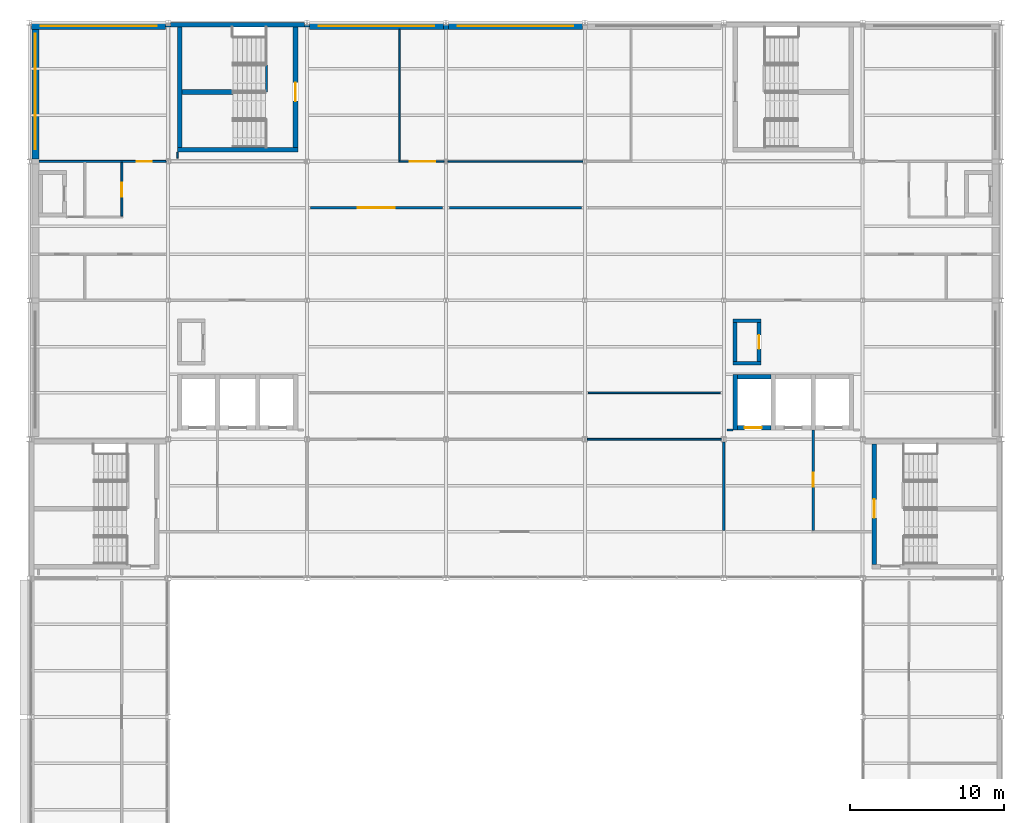
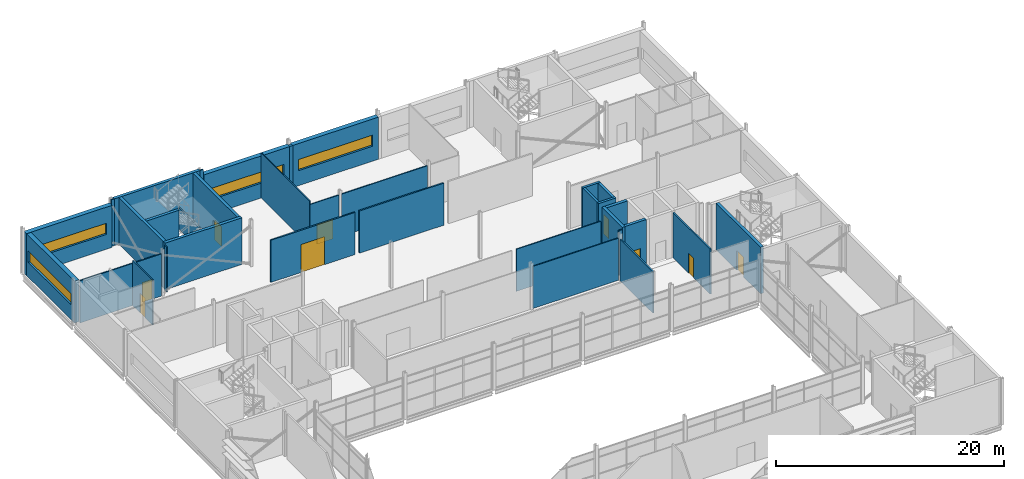
# One storey, part 51 of 61: 34 walls, 9 doors, 4 windows, 13 openings.
"""IFC4 building model written with IfcOpenShell, lengths in metres."""

import ifcopenshell
import ifcopenshell.guid

model = None  # the IFC model being written
_history = None  # IfcOwnerHistory: only IFC2X3 demands one
_inside = {}  # id of a spatial element -> (the spatial element, [elements in it])
_under = {}  # id of a project, library or spatial element -> (it, [spatial elements below it])
_declared = {}  # id of a project -> (the project, [libraries it declares])
_typed = {}  # id of a type object -> (the type object, [elements of that type])
_made_of = {}  # id of a material, layer set ... -> (it, [elements and type objects made of it])


def new_model(schema):
    """Start an empty IFC model of exactly this schema.

    Asked for "IFC4X3", IfcOpenShell would pick the latest addendum, in which some entities
    have other attributes; the version numbers below select the first issue.
    IFC2X3 requires an IfcOwnerHistory on every rooted entity: one is made here for all.
    """
    global model, _history
    if schema == "IFC4X3":
        model = ifcopenshell.file(schema_version=(4, 3, 0, 0))
    else:
        model = ifcopenshell.file(schema=schema)
    _inside.clear()
    _under.clear()
    _declared.clear()
    _typed.clear()
    _made_of.clear()
    _history = None
    if model.schema == "IFC2X3":
        org = make("IfcOrganization", Name="unknown")
        user = make(
            "IfcPersonAndOrganization",
            ThePerson=make("IfcPerson", FamilyName="unknown"),
            TheOrganization=org,
        )
        app = make(
            "IfcApplication",
            ApplicationDeveloper=org,
            Version="unknown",
            ApplicationFullName="unknown",
            ApplicationIdentifier="unknown",
        )
        _history = make(
            "IfcOwnerHistory",
            OwningUser=user,
            OwningApplication=app,
            ChangeAction="ADDED",
            CreationDate=0,
        )
    return model


def make(cls, **values):
    """One entity of the class cls with the attributes given. An attribute that is None is left unset."""
    return model.create_entity(
        cls, **{name: value for name, value in values.items() if value is not None}
    )


def rooted(cls, **values):
    """An entity with a GlobalId (a new one), such as an element, a storey or a relation."""
    return make(cls, GlobalId=ifcopenshell.guid.new(), OwnerHistory=_history, **values)


def si_unit(unit_type, name, prefix=None):
    """IfcSIUnit, for example si_unit("LENGTHUNIT", "METRE", prefix="MILLI")."""
    return make("IfcSIUnit", UnitType=unit_type, Prefix=prefix, Name=name)


def assignment(units):
    """IfcUnitAssignment: the units of a project."""
    return None if units is None else make("IfcUnitAssignment", Units=units)


def point(xyz):
    """IfcCartesianPoint."""
    return None if xyz is None else make("IfcCartesianPoint", Coordinates=xyz)


def direction(xyz):
    """IfcDirection."""
    return None if xyz is None else make("IfcDirection", DirectionRatios=xyz)


def frame(location, z_axis=None, x_axis=None):
    """IfcAxis2Placement3D, a coordinate frame: its origin and axes. An axis left out is left unset."""
    return make(
        "IfcAxis2Placement3D",
        Location=point(location),
        Axis=direction(z_axis),
        RefDirection=direction(x_axis),
    )


def frame_2d(location, x_axis=None):
    """IfcAxis2Placement2D, a coordinate frame in the plane: its origin and x axis."""
    return make(
        "IfcAxis2Placement2D", Location=point(location), RefDirection=direction(x_axis)
    )


def origin():
    """The frame at (0, 0, 0) with its axes left unset."""
    return frame((0.0, 0.0, 0.0))


def place(relative_to, where):
    """IfcLocalPlacement: puts the frame where relative to a parent placement (None: the world)."""
    return make(
        "IfcLocalPlacement", PlacementRelTo=relative_to, RelativePlacement=where
    )


def context(
    kind, dimensions, precision=None, world=None, true_north=None, identifier=None
):
    """IfcGeometricRepresentationContext, for example the 3D "Model" context."""
    return make(
        "IfcGeometricRepresentationContext",
        ContextIdentifier=identifier,
        ContextType=kind,
        CoordinateSpaceDimension=dimensions,
        Precision=precision,
        WorldCoordinateSystem=world,
        TrueNorth=true_north,
    )


def subcontext(parent, identifier, kind, view, scale=None):
    """IfcGeometricRepresentationSubContext, for example "Body" below "Model"."""
    return make(
        "IfcGeometricRepresentationSubContext",
        ContextIdentifier=identifier,
        ContextType=kind,
        ParentContext=parent,
        TargetScale=scale,
        TargetView=view,
    )


def project(units=None, contexts=None):
    """IfcProject with its units and contexts."""
    return rooted(
        "IfcProject",
        Name="project",
        RepresentationContexts=contexts,
        UnitsInContext=assignment(units),
    )


def spatial(cls, under=None, at=None, **own):
    """A site, building, storey or space (cls), placed at a placement, below another one or the project."""
    s = rooted(cls, ObjectPlacement=at, **own)
    if under is not None:
        _under.setdefault(under.id(), (under, []))[1].append(s)
    return s


def profile(cls, at=None, kind="AREA", **sizes):
    """A parametric profile (cls). Its sizes go by their IFC names, for example OverallWidth=200.0."""
    return make(cls, ProfileType=kind, Position=at, **sizes)


def rectangle(**sizes):
    """IfcRectangleProfileDef."""
    return profile("IfcRectangleProfileDef", **sizes)


def extrude(swept, where, along, depth):
    """IfcExtrudedAreaSolid: the profile swept, set in the frame where, extruded along a direction by depth."""
    return make(
        "IfcExtrudedAreaSolid",
        SweptArea=swept,
        Position=where,
        ExtrudedDirection=direction(along),
        Depth=depth,
    )


def shape(context_of_items, identifier, shape_type, items):
    """IfcShapeRepresentation: the items that make up one representation, for example the "Body"."""
    return make(
        "IfcShapeRepresentation",
        ContextOfItems=context_of_items,
        RepresentationIdentifier=identifier,
        RepresentationType=shape_type,
        Items=items,
    )


def material(Name=None, Category=None):
    """IfcMaterial."""
    return make("IfcMaterial", Name=Name, Category=Category)


def layer(
    of_material, thickness, ventilated=None, Name=None, Category=None, Priority=None
):
    """IfcMaterialLayer: one layer of a wall or slab, of a material (None: an air gap)."""
    return make(
        "IfcMaterialLayer",
        Material=of_material,
        LayerThickness=thickness,
        IsVentilated=ventilated,
        Name=Name,
        Category=Category,
        Priority=Priority,
    )


def layer_set(layers, Name=None):
    """IfcMaterialLayerSet."""
    return make("IfcMaterialLayerSet", MaterialLayers=layers, LayerSetName=Name)


def made_of(thing, what):
    """Note that an element or type object is made of a material, layer set ...; save() writes the relation."""
    if what is not None:
        _made_of.setdefault(what.id(), (what, []))[1].append(thing)
    return thing


def type_object(cls, material=None, **own):
    """A type object (cls), such as IfcWallType, which elements share."""
    return made_of(rooted(cls, **own), material)


def element(
    cls,
    number,
    at=None,
    inside=None,
    cuts=None,
    type_object=None,
    material=None,
    context=None,
    identifier="Body",
    shape_type=None,
    held_by="IfcProductDefinitionShape",
    body=None,
    shapes=None,
    **own,
):
    """One element of the class cls, such as IfcWall. Its Tag is "e" and its number.

    at: its placement. inside: the storey or other place that contains it. cuts: it is an
    opening in that element (IfcRelVoidsElement). A single representation is given by context,
    identifier, shape_type and body (its items); several are given by shapes. held_by: the class
    of the entity that holds the representations. save() writes the other relations.
    """
    e = rooted(cls, Tag="e%d" % number, ObjectPlacement=at, **own)
    if body is not None:
        shapes = [shape(context, identifier, shape_type, body)]
    if shapes is not None:
        e.Representation = make(held_by, Representations=shapes)
    if inside is not None:
        _inside.setdefault(inside.id(), (inside, []))[1].append(e)
    if cuts is not None:
        rooted(
            "IfcRelVoidsElement", RelatingBuildingElement=cuts, RelatedOpeningElement=e
        )
    if type_object is not None:
        _typed.setdefault(type_object.id(), (type_object, []))[1].append(e)
    return made_of(e, material)


def fill(opening, filler):
    """IfcRelFillsElement: the door or window that sits in an opening."""
    return rooted(
        "IfcRelFillsElement",
        RelatingOpeningElement=opening,
        RelatedBuildingElement=filler,
    )


def aggregate(whole, parts):
    """IfcRelAggregates: a whole, such as a stair, and the parts it consists of."""
    return rooted("IfcRelAggregates", RelatingObject=whole, RelatedObjects=parts)


def save(model, path):
    """Write the relations noted so far, then the file.

    IfcRelAggregates (storeys below a building ...), IfcRelContainedInSpatialStructure (elements
    in a storey), IfcRelDefinesByType, IfcRelAssociatesMaterial and IfcRelDeclares: one each for
    every whole, place, type object, material and project.
    """
    for whole, parts in _under.values():
        aggregate(whole, parts)
    for where, things in _inside.values():
        rooted(
            "IfcRelContainedInSpatialStructure",
            RelatedElements=things,
            RelatingStructure=where,
        )
    for kind, things in _typed.values():
        rooted("IfcRelDefinesByType", RelatedObjects=things, RelatingType=kind)
    for what, things in _made_of.values():
        rooted("IfcRelAssociatesMaterial", RelatedObjects=things, RelatingMaterial=what)
    for by, libraries in _declared.values():
        rooted("IfcRelDeclares", RelatingContext=by, RelatedDefinitions=libraries)
    model.write(path)


model = new_model("IFC4")

# Units and contexts
model_context = context("Model", 3, precision=1e-05, world=origin(), true_north=direction((0.0, 1.0)))
body_context = subcontext(model_context, "Body", "Model", "MODEL_VIEW")
ifc_project = project(units=[si_unit("LENGTHUNIT", "METRE"), si_unit("AREAUNIT", "SQUARE_METRE"), si_unit("VOLUMEUNIT", "CUBIC_METRE"), si_unit("PLANEANGLEUNIT", "RADIAN"), si_unit("MASSUNIT", "GRAM", prefix="KILO")], contexts=[model_context])

# Site, building, storey
site_placement = place(None, origin())
site = spatial("IfcSite", under=ifc_project, at=site_placement, CompositionType="ELEMENT")
building_placement = place(site_placement, origin())
building = spatial("IfcBuilding", under=site, at=building_placement, Name="Shorebreak Coast Museum", CompositionType="ELEMENT")
storey_placement = place(building_placement, frame((0.0, 0.0, 26.0)))
storey = spatial("IfcBuildingStorey", under=building, at=storey_placement, Name="L04", CompositionType="ELEMENT", Elevation=26.0)

# Walls
ifc_material_1 = material(Name="Concrete N50 (50 MPa)", Category="concrete")
ifc_layer_1 = layer(ifc_material_1, 0.136474609375)
ifc_layer_set_1 = layer_set([ifc_layer_1], Name="Concrete N50 (50 MPa)")
wall_type_1 = type_object("IfcWallType", Name="Column closure panel 136", PredefinedType="SOLIDWALL", material=ifc_layer_set_1)
for number, where, z_axis, x_axis, name in (
    (1, (62.83349609375, 116.768310546875, 0.0), (0.0, 0.0, 1.0), (1.0, 0.0, 0.0), "Column closure panel L04 N 8P"),
    (2, (71.844482421875, 116.768310546875, 0.0), (0.0, 0.0, 1.0), (1.0, 0.0, 0.0), "Column closure panel L04 N 9P"),
):
    element("IfcWall", number, at=place(storey_placement, frame(where, z_axis=z_axis, x_axis=x_axis)), inside=storey, type_object=wall_type_1, Name=name, PredefinedType="SOLIDWALL", context=body_context, shape_type="SweptSolid", body=[
        extrude(rectangle(XDim=0.322021484375, YDim=0.136474609375, at=frame_2d((0.1611328125, 0.0))), origin(), (0.0, 0.0, 1.0), 5.0),
    ])
ifc_material_2 = material(Name="Concrete N50 (50 MPa)", Category="concrete")
ifc_layer_2 = layer(ifc_material_2, 0.286376953125)
ifc_layer_set_2 = layer_set([ifc_layer_2], Name="Concrete N50 (50 MPa)")
wall_type_2 = type_object("IfcWallType", Name="Column closure panel 286", PredefinedType="SOLIDWALL", material=ifc_layer_set_2)
wall_1_placement = place(storey_placement, frame((80.839111328125, 116.693115234375, 0.0), z_axis=(0.0, 0.0, 1.0), x_axis=(1.0, 0.0, 0.0)))
element("IfcWall", 3, at=wall_1_placement, inside=storey, type_object=wall_type_2, Name="Column closure panel L04 N 10P", PredefinedType="SOLIDWALL", context=body_context, shape_type="SweptSolid", body=[
    extrude(rectangle(XDim=0.32177734375, YDim=0.286376953125, at=frame_2d((0.160888671875, 0.0))), origin(), (0.0, 0.0, 1.0), 4.517822265625),
])

# Wall, opening, window
ifc_material_3 = material(Name="Concrete N50 (50 MPa)", Category="concrete")
ifc_layer_3 = layer(ifc_material_3, 0.449951171875)
ifc_layer_set_3 = layer_set([ifc_layer_3], Name="Concrete N50 (50 MPa)")
wall_type_3 = type_object("IfcWallType", Name="Deep-set precast panel 450", PredefinedType="SOLIDWALL", material=ifc_layer_set_3)
wall_2_placement = place(storey_placement, frame((54.155517578125, 116.77490234375, 0.0), z_axis=(0.0, 0.0, 1.0), x_axis=(1.0, 0.0, 0.0)))
wall_2 = element("IfcWall", 4, at=wall_2_placement, inside=storey, type_object=wall_type_3, Name="External wall L04 N 7P", PredefinedType="SOLIDWALL", context=body_context, shape_type="SweptSolid", body=[
    extrude(rectangle(XDim=8.677978515625, YDim=0.449951171875, at=frame_2d((4.3388671875, 0.0))), origin(), (0.0, 0.0, 1.0), 4.517822265625),
])
opening_1_placement = place(wall_2_placement, frame((0.594482421875, 0.0, 1.60009765625)))
opening_1 = element("IfcOpeningElement", 5, at=opening_1_placement, cuts=wall_2, Name="Opening WN4003", PredefinedType="OPENING", context=body_context, shape_type="SweptSolid", body=[
    extrude(rectangle(XDim=7.5, YDim=1.199951171875, at=frame_2d((3.75, 0.60009765625))), frame((0.0, 0.23486328125, 0.0), z_axis=(0.0, -1.0, 0.0), x_axis=(1.0, 0.0, 0.0)), (0.0, 0.0, 1.0), 0.469970703125),
])
ifc_material_4 = material(Name="Aluminium", Category="aluminium")
window_type = type_object("IfcWindowType", Name="Ribbon window 7500 x 1200", PartitioningType="SINGLE_PANEL", PredefinedType="WINDOW", material=ifc_material_4)
window_1_placement = place(opening_1_placement, origin())
window_1 = element("IfcWindow", 6, at=window_1_placement, inside=storey, type_object=window_type, Name="Window WN4003", OverallHeight=1.199951171875, OverallWidth=7.5, PartitioningType="SINGLE_PANEL", PredefinedType="WINDOW", context=body_context, shape_type="SweptSolid", body=[
    extrude(rectangle(XDim=7.5, YDim=1.199951171875, at=frame_2d((3.75, 0.60009765625))), frame((0.0, 0.030029296875, 0.0), z_axis=(0.0, -1.0, 0.0), x_axis=(1.0, 0.0, 0.0)), (0.0, 0.0, 1.0), 0.06005859375),
])
fill(opening_1, window_1)

wall_3_placement = place(storey_placement, frame((54.3935546875, 108.160888671875, 0.0), z_axis=(0.0, 0.0, 1.0), x_axis=(0.0, 1.0, 0.0)))
wall_3 = element("IfcWall", 7, at=wall_3_placement, inside=storey, type_object=wall_type_3, Name="External wall L04 W 7N", PredefinedType="SOLIDWALL", context=body_context, shape_type="SweptSolid", body=[
    extrude(rectangle(XDim=8.675537109375, YDim=0.449951171875, at=frame_2d((4.337890625, 0.0))), origin(), (0.0, 0.0, 1.0), 4.497802734375),
])
opening_2_placement = place(wall_3_placement, frame((0.6201171875, 0.0, 1.60009765625)))
opening_2 = element("IfcOpeningElement", 8, at=opening_2_placement, cuts=wall_3, Name="Opening WN4009", PredefinedType="OPENING", context=body_context, shape_type="SweptSolid", body=[
    extrude(rectangle(XDim=7.5, YDim=1.199951171875, at=frame_2d((3.75, 0.60009765625))), frame((0.0, 0.23486328125, 0.0), z_axis=(0.0, -1.0, 0.0), x_axis=(1.0, 0.0, 0.0)), (0.0, 0.0, 1.0), 0.469970703125),
])
window_2_placement = place(opening_2_placement, origin())
window_2 = element("IfcWindow", 9, at=window_2_placement, inside=storey, type_object=window_type, Name="Window WN4009", OverallHeight=1.199951171875, OverallWidth=7.5, PartitioningType="SINGLE_PANEL", PredefinedType="WINDOW", context=body_context, shape_type="SweptSolid", body=[
    extrude(rectangle(XDim=7.5, YDim=1.199951171875, at=frame_2d((3.75, 0.60009765625))), frame((0.0, 0.030029296875, 0.0), z_axis=(0.0, -1.0, 0.0), x_axis=(1.0, 0.0, 0.0)), (0.0, 0.0, 1.0), 0.06005859375),
])
fill(opening_2, window_2)

wall_4_placement = place(storey_placement, frame((72.16650390625, 116.77490234375, 0.0), z_axis=(0.0, 0.0, 1.0), x_axis=(1.0, 0.0, 0.0)))
wall_4 = element("IfcWall", 10, at=wall_4_placement, inside=storey, type_object=wall_type_3, Name="External wall L04 N 9P", PredefinedType="SOLIDWALL", context=body_context, shape_type="SweptSolid", body=[
    extrude(rectangle(XDim=8.672607421875, YDim=0.449951171875, at=frame_2d((4.33642578125, 0.0))), origin(), (0.0, 0.0, 1.0), 4.517822265625),
])
opening_3_placement = place(wall_4_placement, frame((0.58349609375, 0.0, 1.60009765625)))
opening_3 = element("IfcOpeningElement", 11, at=opening_3_placement, cuts=wall_4, Name="Opening WN4004", PredefinedType="OPENING", context=body_context, shape_type="SweptSolid", body=[
    extrude(rectangle(XDim=7.5, YDim=1.199951171875, at=frame_2d((3.75, 0.60009765625))), frame((0.0, 0.23486328125, 0.0), z_axis=(0.0, -1.0, 0.0), x_axis=(1.0, 0.0, 0.0)), (0.0, 0.0, 1.0), 0.469970703125),
])
window_3_placement = place(opening_3_placement, origin())
window_3 = element("IfcWindow", 12, at=window_3_placement, inside=storey, type_object=window_type, Name="Window WN4004", OverallHeight=1.199951171875, OverallWidth=7.5, PartitioningType="SINGLE_PANEL", PredefinedType="WINDOW", context=body_context, shape_type="SweptSolid", body=[
    extrude(rectangle(XDim=7.5, YDim=1.199951171875, at=frame_2d((3.75, 0.60009765625))), frame((0.0, 0.030029296875, 0.0), z_axis=(0.0, -1.0, 0.0), x_axis=(1.0, 0.0, 0.0)), (0.0, 0.0, 1.0), 0.06005859375),
])
fill(opening_3, window_3)

wall_5_placement = place(storey_placement, frame((81.160888671875, 116.77490234375, 0.0), z_axis=(0.0, 0.0, 1.0), x_axis=(1.0, 0.0, 0.0)))
wall_5 = element("IfcWall", 13, at=wall_5_placement, inside=storey, type_object=wall_type_3, Name="External wall L04 N 10P", PredefinedType="SOLIDWALL", context=body_context, shape_type="SweptSolid", body=[
    extrude(rectangle(XDim=8.67822265625, YDim=0.449951171875, at=frame_2d((4.339111328125, 0.0))), origin(), (0.0, 0.0, 1.0), 4.517822265625),
])
opening_4_placement = place(wall_5_placement, frame((0.589111328125, 0.0, 1.60009765625)))
opening_4 = element("IfcOpeningElement", 14, at=opening_4_placement, cuts=wall_5, Name="Opening WN4005", PredefinedType="OPENING", context=body_context, shape_type="SweptSolid", body=[
    extrude(rectangle(XDim=7.5, YDim=1.199951171875, at=frame_2d((3.75, 0.60009765625))), frame((0.0, 0.23486328125, 0.0), z_axis=(0.0, -1.0, 0.0), x_axis=(1.0, 0.0, 0.0)), (0.0, 0.0, 1.0), 0.469970703125),
])
window_4_placement = place(opening_4_placement, origin())
window_4 = element("IfcWindow", 15, at=window_4_placement, inside=storey, type_object=window_type, Name="Window WN4005", OverallHeight=1.199951171875, OverallWidth=7.5, PartitioningType="SINGLE_PANEL", PredefinedType="WINDOW", context=body_context, shape_type="SweptSolid", body=[
    extrude(rectangle(XDim=7.5, YDim=1.199951171875, at=frame_2d((3.75, 0.60009765625))), frame((0.0, 0.030029296875, 0.0), z_axis=(0.0, -1.0, 0.0), x_axis=(1.0, 0.0, 0.0)), (0.0, 0.0, 1.0), 0.06005859375),
])
fill(opening_4, window_4)

# Wall
ifc_material_5 = material(Name="Plasterboard on steel stud", Category="steel")
ifc_layer_4 = layer(ifc_material_5, 0.14990234375)
ifc_layer_set_4 = layer_set([ifc_layer_4], Name="Plasterboard on steel stud")
wall_type_4 = type_object("IfcWallType", Name="Fire partition 150", PredefinedType="PARTITIONING", material=ifc_layer_set_4)
wall_6_placement = place(storey_placement, frame((99.219970703125, 90.60009765625, 0.0), z_axis=(0.0, 0.0, 1.0), x_axis=(1.0, 0.0, 0.0)))
element("IfcWall", 16, at=wall_6_placement, inside=storey, type_object=wall_type_4, Name="Partition L04-012", PredefinedType="PARTITIONING", context=body_context, shape_type="SweptSolid", body=[
    extrude(rectangle(XDim=0.380126953125, YDim=0.14990234375, at=frame_2d((0.18994140625, 0.0))), origin(), (0.0, 0.0, 1.0), 4.824951171875),
])

# Wall, opening, door
wall_7_placement = place(storey_placement, frame((72.219970703125, 105.0, 0.0), z_axis=(0.0, 0.0, 1.0), x_axis=(1.0, 0.0, 0.0)))
wall_7 = element("IfcWall", 17, at=wall_7_placement, inside=storey, type_object=wall_type_4, Name="Partition L04-025", PredefinedType="PARTITIONING", context=body_context, shape_type="SweptSolid", body=[
    extrude(rectangle(XDim=8.56005859375, YDim=0.14990234375, at=frame_2d((4.280029296875, 0.0))), origin(), (0.0, 0.0, 1.0), 4.52099609375),
])
opening_5_placement = place(wall_7_placement, frame((3.050048828125, 0.0, 0.0)))
opening_5 = element("IfcOpeningElement", 18, at=opening_5_placement, cuts=wall_7, Name="Opening D4022", PredefinedType="OPENING", context=body_context, shape_type="SweptSolid", body=[
    extrude(rectangle(XDim=2.39990234375, YDim=3.0, at=frame_2d((1.199951171875, 1.5))), frame((0.0, 0.0849609375, 0.0), z_axis=(0.0, -1.0, 0.0), x_axis=(1.0, 0.0, 0.0)), (0.0, 0.0, 1.0), 0.169921875),
])
ifc_material_6 = material(Name="Steel", Category="steel")
door_type_1 = type_object("IfcDoorType", Name="Fire door 2400x3000 60", OperationType="DOUBLE_DOOR_SINGLE_SWING", PredefinedType="DOOR", material=ifc_material_6)
door_1_placement = place(opening_5_placement, origin())
door_1 = element("IfcDoor", 19, at=door_1_placement, inside=storey, type_object=door_type_1, Name="Door D4022 Permanent Gallery 4.02", OperationType="DOUBLE_DOOR_SINGLE_SWING", OverallHeight=3.0, OverallWidth=2.39990234375, PredefinedType="DOOR", context=body_context, shape_type="SweptSolid", body=[
    extrude(rectangle(XDim=2.39990234375, YDim=3.0, at=frame_2d((1.199951171875, 1.5))), frame((0.0, 0.02490234375, 0.0), z_axis=(0.0, -1.0, 0.0), x_axis=(1.0, 0.0, 0.0)), (0.0, 0.0, 1.0), 0.050048828125),
])
fill(opening_5, door_1)

# Walls
wall_8_placement = place(storey_placement, frame((81.219970703125, 105.0, 0.0), z_axis=(0.0, 0.0, 1.0), x_axis=(1.0, 0.0, 0.0)))
element("IfcWall", 20, at=wall_8_placement, inside=storey, type_object=wall_type_4, Name="Partition L04-026", PredefinedType="PARTITIONING", context=body_context, shape_type="SweptSolid", body=[
    extrude(rectangle(XDim=8.56005859375, YDim=0.14990234375, at=frame_2d((4.280029296875, 0.0))), origin(), (0.0, 0.0, 1.0), 4.52099609375),
])
wall_9_placement = place(storey_placement, frame((99.0, 84.074951171875, 0.0), z_axis=(0.0, 0.0, 1.0), x_axis=(0.0, 1.0, 0.0)))
element("IfcWall", 21, at=wall_9_placement, inside=storey, type_object=wall_type_4, Name="Partition L04-048", PredefinedType="PARTITIONING", context=body_context, shape_type="SweptSolid", body=[
    extrude(rectangle(XDim=5.761474609375, YDim=0.14990234375, at=frame_2d((2.880859375, 0.0))), origin(), (0.0, 0.0, 1.0), 4.418701171875),
])

# Wall, opening, door
wall_10_placement = place(storey_placement, frame((104.800048828125, 84.074951171875, 0.0), z_axis=(0.0, 0.0, 1.0), x_axis=(0.0, 1.0, 0.0)))
wall_10 = element("IfcWall", 22, at=wall_10_placement, inside=storey, type_object=wall_type_4, Name="Partition L04-050", PredefinedType="PARTITIONING", context=body_context, shape_type="SweptSolid", body=[
    extrude(rectangle(XDim=6.525146484375, YDim=0.14990234375, at=frame_2d((3.2626953125, 0.0))), origin(), (0.0, 0.0, 1.0), 4.824951171875),
])
opening_6_placement = place(wall_10_placement, frame((2.85009765625, 0.0, 0.0)))
opening_6 = element("IfcOpeningElement", 23, at=opening_6_placement, cuts=wall_10, Name="Opening D4002", PredefinedType="OPENING", context=body_context, shape_type="SweptSolid", body=[
    extrude(rectangle(XDim=0.89990234375, YDim=2.10009765625, at=frame_2d((0.449951171875, 1.050048828125))), frame((0.0, 0.0849609375, 0.0), z_axis=(0.0, -1.0, 0.0), x_axis=(1.0, 0.0, 0.0)), (0.0, 0.0, 1.0), 0.169921875),
])
ifc_material_7 = material(Name="Steel", Category="steel")
door_type_2 = type_object("IfcDoorType", Name="Fire door 900x2100 60", OperationType="SINGLE_SWING_LEFT", PredefinedType="DOOR", material=ifc_material_7)
door_2_placement = place(opening_6_placement, origin())
door_2 = element("IfcDoor", 24, at=door_2_placement, inside=storey, type_object=door_type_2, Name="Door D4002 Firefighting Lift Lobby E", OperationType="SINGLE_SWING_RIGHT", OverallHeight=2.10009765625, OverallWidth=0.89990234375, PredefinedType="DOOR", context=body_context, shape_type="SweptSolid", body=[
    extrude(rectangle(XDim=0.89990234375, YDim=2.10009765625, at=frame_2d((0.449951171875, 1.050048828125))), frame((0.0, 0.02490234375, 0.0), z_axis=(0.0, -1.0, 0.0), x_axis=(1.0, 0.0, 0.0)), (0.0, 0.0, 1.0), 0.050048828125),
])
fill(opening_6, door_2)

# Walls
ifc_material_8 = material(Name="Plasterboard on steel stud", Category="steel")
ifc_layer_5 = layer(ifc_material_8, 0.10009765625)
ifc_layer_set_5 = layer_set([ifc_layer_5], Name="Plasterboard on steel stud")
wall_type_5 = type_object("IfcWallType", Name="Partition 100", PredefinedType="PARTITIONING", material=ifc_layer_set_5)
wall_11_placement = place(storey_placement, frame((90.155517578125, 90.0, 0.0), z_axis=(0.0, 0.0, 1.0), x_axis=(1.0, 0.0, 0.0)))
element("IfcWall", 25, at=wall_11_placement, inside=storey, type_object=wall_type_5, Name="Partition L04-009", PredefinedType="PARTITIONING", context=body_context, shape_type="SweptSolid", body=[
    extrude(rectangle(XDim=8.68896484375, YDim=0.10009765625, at=frame_2d((4.344482421875, 0.0))), origin(), (0.0, 0.0, 1.0), 4.517822265625),
])
wall_12_placement = place(storey_placement, frame((90.219970703125, 93.0, 0.0), z_axis=(0.0, 0.0, 1.0), x_axis=(1.0, 0.0, 0.0)))
element("IfcWall", 26, at=wall_12_placement, inside=storey, type_object=wall_type_5, Name="Partition L04-016", PredefinedType="PARTITIONING", context=body_context, shape_type="SweptSolid", body=[
    extrude(rectangle(XDim=8.56005859375, YDim=0.10009765625, at=frame_2d((4.280029296875, 0.0))), origin(), (0.0, 0.0, 1.0), 4.52099609375),
])

# Wall, opening, door
wall_13_placement = place(storey_placement, frame((77.949951171875, 108.0, 0.0), z_axis=(0.0, 0.0, 1.0), x_axis=(1.0, 0.0, 0.0)))
wall_13 = element("IfcWall", 27, at=wall_13_placement, inside=storey, type_object=wall_type_5, Name="Partition L04-029", PredefinedType="PARTITIONING", context=body_context, shape_type="SweptSolid", body=[
    extrude(rectangle(XDim=2.922119140625, YDim=0.10009765625, at=frame_2d((1.4609375, 0.0))), origin(), (0.0, 0.0, 1.0), 4.517822265625),
])
opening_7_placement = place(wall_13_placement, frame((0.699951171875, 0.0, 0.0)))
opening_7 = element("IfcOpeningElement", 28, at=opening_7_placement, cuts=wall_13, Name="Opening D4023", PredefinedType="OPENING", context=body_context, shape_type="SweptSolid", body=[
    extrude(rectangle(XDim=1.64990234375, YDim=2.10009765625, at=frame_2d((0.824951171875, 1.050048828125))), frame((0.0, 0.06005859375, 0.0), z_axis=(0.0, -1.0, 0.0), x_axis=(1.0, 0.0, 0.0)), (0.0, 0.0, 1.0), 0.1201171875),
])
ifc_material_9 = material(Name="Timber", Category="wood")
door_type_3 = type_object("IfcDoorType", Name="Interior door 1650x2100", OperationType="DOUBLE_DOOR_SINGLE_SWING", PredefinedType="DOOR", material=ifc_material_9)
door_3_placement = place(opening_7_placement, origin())
door_3 = element("IfcDoor", 29, at=door_3_placement, inside=storey, type_object=door_type_3, Name="Door D4023 Learning Studio 4.02", OperationType="DOUBLE_DOOR_SINGLE_SWING", OverallHeight=2.10009765625, OverallWidth=1.64990234375, PredefinedType="DOOR", context=body_context, shape_type="SweptSolid", body=[
    extrude(rectangle(XDim=1.64990234375, YDim=2.10009765625, at=frame_2d((0.824951171875, 1.050048828125))), frame((0.0, 0.02490234375, 0.0), z_axis=(0.0, -1.0, 0.0), x_axis=(1.0, 0.0, 0.0)), (0.0, 0.0, 1.0), 0.050048828125),
])
fill(opening_7, door_3)

# Walls
wall_14_placement = place(storey_placement, frame((81.1279296875, 108.0, 0.0), z_axis=(0.0, 0.0, 1.0), x_axis=(1.0, 0.0, 0.0)))
element("IfcWall", 30, at=wall_14_placement, inside=storey, type_object=wall_type_5, Name="Partition L04-030", PredefinedType="PARTITIONING", context=body_context, shape_type="SweptSolid", body=[
    extrude(rectangle(XDim=8.744140625, YDim=0.10009765625, at=frame_2d((4.3720703125, 0.0))), origin(), (0.0, 0.0, 1.0), 4.517822265625),
])
wall_15_placement = place(storey_placement, frame((63.60009765625, 108.219970703125, 0.0), z_axis=(0.0, 0.0, 1.0), x_axis=(0.0, 1.0, 0.0)))
element("IfcWall", 31, at=wall_15_placement, inside=storey, type_object=wall_type_5, Name="Partition L04-041", PredefinedType="PARTITIONING", context=body_context, shape_type="SweptSolid", body=[
    extrude(rectangle(XDim=0.380126953125, YDim=0.10009765625, at=frame_2d((0.18994140625, 0.0))), origin(), (0.0, 0.0, 1.0), 4.824951171875),
])
wall_16_placement = place(storey_placement, frame((78.0, 108.050048828125, 0.0), z_axis=(0.0, 0.0, 1.0), x_axis=(0.0, 1.0, 0.0)))
element("IfcWall", 32, at=wall_16_placement, inside=storey, type_object=wall_type_5, Name="Partition L04-045", PredefinedType="PARTITIONING", context=body_context, shape_type="SweptSolid", body=[
    extrude(rectangle(XDim=8.5, YDim=0.10009765625, at=frame_2d((4.25, 0.0))), origin(), (0.0, 0.0, 1.0), 4.824951171875),
])

# Wall, opening, door
ifc_material_10 = material(Name="Plasterboard on steel stud", Category="steel")
ifc_layer_6 = layer(ifc_material_10, 0.125)
ifc_layer_set_6 = layer_set([ifc_layer_6], Name="Plasterboard on steel stud")
wall_type_6 = type_object("IfcWallType", Name="Partition 125", PredefinedType="PARTITIONING", material=ifc_layer_set_6)
wall_17_placement = place(storey_placement, frame((54.61865234375, 108.0, 0.0), z_axis=(0.0, 0.0, 1.0), x_axis=(1.0, 0.0, 0.0)))
wall_17 = element("IfcWall", 33, at=wall_17_placement, inside=storey, type_object=wall_type_6, Name="Partition L04-028", PredefinedType="PARTITIONING", context=body_context, shape_type="SweptSolid", body=[
    extrude(rectangle(XDim=8.25341796875, YDim=0.125, at=frame_2d((4.126708984375, 0.0))), origin(), (0.0, 0.0, 1.0), 4.517822265625),
])
opening_8_placement = place(wall_17_placement, frame((6.331298828125, 0.0, 0.0)))
opening_8 = element("IfcOpeningElement", 34, at=opening_8_placement, cuts=wall_17, Name="Opening D4019", PredefinedType="OPENING", context=body_context, shape_type="SweptSolid", body=[
    extrude(rectangle(XDim=1.0, YDim=2.10009765625, at=frame_2d((0.5, 1.050048828125))), frame((0.0, 0.072509765625, 0.0), z_axis=(0.0, -1.0, 0.0), x_axis=(1.0, 0.0, 0.0)), (0.0, 0.0, 1.0), 0.14501953125),
])
ifc_material_11 = material(Name="Timber", Category="wood")
door_type_4 = type_object("IfcDoorType", Name="Interior door 1000x2100", OperationType="SINGLE_SWING_LEFT", PredefinedType="DOOR", material=ifc_material_11)
door_4_placement = place(opening_8_placement, origin())
door_4 = element("IfcDoor", 35, at=door_4_placement, inside=storey, type_object=door_type_4, Name="Door D4019 Services Store 4.01", OperationType="SINGLE_SWING_LEFT", OverallHeight=2.10009765625, OverallWidth=1.0, PredefinedType="DOOR", context=body_context, shape_type="SweptSolid", body=[
    extrude(rectangle(XDim=1.0, YDim=2.10009765625, at=frame_2d((0.5, 1.050048828125))), frame((0.0, 0.02490234375, 0.0), z_axis=(0.0, -1.0, 0.0), x_axis=(1.0, 0.0, 0.0)), (0.0, 0.0, 1.0), 0.050048828125),
])
fill(opening_8, door_4)

wall_18_placement = place(storey_placement, frame((60.0, 104.46240234375, 0.0), z_axis=(0.0, 0.0, 1.0), x_axis=(0.0, 1.0, 0.0)))
wall_18 = element("IfcWall", 36, at=wall_18_placement, inside=storey, type_object=wall_type_6, Name="Partition L04-040", PredefinedType="PARTITIONING", context=body_context, shape_type="SweptSolid", body=[
    extrude(rectangle(XDim=3.47509765625, YDim=0.125, at=frame_2d((1.737548828125, 0.0))), origin(), (0.0, 0.0, 1.0), 4.824951171875),
])
opening_9_placement = place(wall_18_placement, frame((1.25, 0.0, 0.0)))
opening_9 = element("IfcOpeningElement", 37, at=opening_9_placement, cuts=wall_18, Name="Opening D4012", PredefinedType="OPENING", context=body_context, shape_type="SweptSolid", body=[
    extrude(rectangle(XDim=0.89990234375, YDim=2.10009765625, at=frame_2d((0.449951171875, 1.050048828125))), frame((0.0, 0.072509765625, 0.0), z_axis=(0.0, -1.0, 0.0), x_axis=(1.0, 0.0, 0.0)), (0.0, 0.0, 1.0), 0.14501953125),
])
ifc_material_12 = material(Name="Timber", Category="wood")
door_type_5 = type_object("IfcDoorType", Name="Interior door 900x2100", OperationType="SINGLE_SWING_LEFT", PredefinedType="DOOR", material=ifc_material_12)
door_5_placement = place(opening_9_placement, origin())
door_5 = element("IfcDoor", 38, at=door_5_placement, inside=storey, type_object=door_type_5, Name="Door D4012 Female WC N1", OperationType="SINGLE_SWING_RIGHT", OverallHeight=2.10009765625, OverallWidth=0.89990234375, PredefinedType="DOOR", context=body_context, shape_type="SweptSolid", body=[
    extrude(rectangle(XDim=0.89990234375, YDim=2.10009765625, at=frame_2d((0.449951171875, 1.050048828125))), frame((0.0, 0.02490234375, 0.0), z_axis=(0.0, -1.0, 0.0), x_axis=(1.0, 0.0, 0.0)), (0.0, 0.0, 1.0), 0.050048828125),
])
fill(opening_9, door_5)

# Walls
ifc_material_13 = material(Name="Concrete N50 (50 MPa)", Category="concrete")
ifc_layer_7 = layer(ifc_material_13, 0.25)
ifc_layer_set_7 = layer_set([ifc_layer_7], Name="Concrete N50 (50 MPa)")
wall_type_7 = type_object("IfcWallType", Name="RC riser wall 250", PredefinedType="STANDARD", material=ifc_layer_set_7)
for number, where, z_axis, x_axis, name in (
    (39, (99.60009765625, 94.925048828125, 0.0), (0.0, 0.0, 1.0), (1.0, 0.0, 0.0), "Riser wall R-LBE L04 S"),
    (40, (99.60009765625, 97.675048828125, 0.0), (0.0, 0.0, 1.0), (1.0, 0.0, 0.0), "Riser wall R-LBE L04 N"),
):
    element("IfcWall", number, at=place(storey_placement, frame(where, z_axis=z_axis, x_axis=x_axis)), inside=storey, type_object=wall_type_7, Name=name, PredefinedType="STANDARD", context=body_context, shape_type="SweptSolid", body=[
        extrude(rectangle(XDim=1.7998046875, YDim=0.25, at=frame_2d((0.89990234375, 0.0))), origin(), (0.0, 0.0, 1.0), 5.0),
    ])
wall_19_placement = place(storey_placement, frame((99.72509765625, 95.050048828125, 0.0), z_axis=(0.0, 0.0, 1.0), x_axis=(0.0, 1.0, 0.0)))
element("IfcWall", 41, at=wall_19_placement, inside=storey, type_object=wall_type_7, Name="Riser wall R-LBE L04 W", PredefinedType="STANDARD", context=body_context, shape_type="SweptSolid", body=[
    extrude(rectangle(XDim=2.5, YDim=0.25, at=frame_2d((1.25, 0.0))), origin(), (0.0, 0.0, 1.0), 5.0),
])

# Wall, opening, door
wall_20_placement = place(storey_placement, frame((101.27490234375, 95.050048828125, 0.0), z_axis=(0.0, 0.0, 1.0), x_axis=(0.0, 1.0, 0.0)))
wall_20 = element("IfcWall", 42, at=wall_20_placement, inside=storey, type_object=wall_type_7, Name="Riser wall R-LBE L04 E", PredefinedType="STANDARD", context=body_context, shape_type="SweptSolid", body=[
    extrude(rectangle(XDim=2.5, YDim=0.25, at=frame_2d((1.25, 0.0))), origin(), (0.0, 0.0, 1.0), 5.0),
])
opening_10_placement = place(wall_20_placement, frame((0.800048828125, 0.0, 0.0)))
opening_10 = element("IfcOpeningElement", 43, at=opening_10_placement, cuts=wall_20, Name="Opening D4607", PredefinedType="OPENING", context=body_context, shape_type="SweptSolid", body=[
    extrude(rectangle(XDim=0.89990234375, YDim=2.10009765625, at=frame_2d((0.449951171875, 1.050048828125))), frame((0.0, 0.135009765625, 0.0), z_axis=(0.0, -1.0, 0.0), x_axis=(1.0, 0.0, 0.0)), (0.0, 0.0, 1.0), 0.27001953125),
])
ifc_material_14 = material(Name="Steel Grade 300", Category="steel")
door_type_6 = type_object("IfcDoorType", Name="Riser door 900x2100", OperationType="SINGLE_SWING_LEFT", PredefinedType="DOOR", material=ifc_material_14)
door_6_placement = place(opening_10_placement, origin())
door_6 = element("IfcDoor", 44, at=door_6_placement, inside=storey, type_object=door_type_6, Name="Riser door R-LBE L04", OperationType="SINGLE_SWING_RIGHT", OverallHeight=2.10009765625, OverallWidth=0.89990234375, PredefinedType="DOOR", context=body_context, shape_type="SweptSolid", body=[
    extrude(rectangle(XDim=0.89990234375, YDim=2.10009765625, at=frame_2d((0.449951171875, 1.050048828125))), frame((0.0, 0.02490234375, 0.0), z_axis=(0.0, -1.0, 0.0), x_axis=(1.0, 0.0, 0.0)), (0.0, 0.0, 1.0), 0.050048828125),
])
fill(opening_10, door_6)

ifc_material_15 = material(Name="Concrete N50 (50 MPa)", Category="concrete")
ifc_layer_8 = layer(ifc_material_15, 0.300048828125)
ifc_layer_set_8 = layer_set([ifc_layer_8], Name="Concrete N50 (50 MPa)")
wall_type_8 = type_object("IfcWallType", Name="RC wall 300", PredefinedType="SHEAR", material=ifc_layer_set_8)
wall_21_placement = place(storey_placement, frame((108.75, 81.89990234375, 0.0), z_axis=(0.0, 0.0, 1.0), x_axis=(0.0, 1.0, 0.0)))
wall_21 = element("IfcWall", 45, at=wall_21_placement, inside=storey, type_object=wall_type_8, Name="Stair core wall ST04 L04 W", PredefinedType="SHEAR", context=body_context, shape_type="SweptSolid", body=[
    extrude(rectangle(XDim=7.800048828125, YDim=0.300048828125, at=frame_2d((3.89990234375, 0.0))), origin(), (0.0, 0.0, 1.0), 5.0),
])
opening_11_placement = place(wall_21_placement, frame((3.0, 0.0, 0.0)))
opening_11 = element("IfcOpeningElement", 46, at=opening_11_placement, cuts=wall_21, Name="Opening D4804", PredefinedType="OPENING", context=body_context, shape_type="SweptSolid", body=[
    extrude(rectangle(XDim=1.199951171875, YDim=2.10009765625, at=frame_2d((0.60009765625, 1.050048828125))), frame((0.0, 0.159912109375, 0.0), z_axis=(0.0, -1.0, 0.0), x_axis=(1.0, 0.0, 0.0)), (0.0, 0.0, 1.0), 0.320068359375),
])
ifc_material_16 = material(Name="Steel Grade 300", Category="steel")
door_type_7 = type_object("IfcDoorType", Name="Fire door 1200x2100", OperationType="SINGLE_SWING_LEFT", PredefinedType="DOOR", material=ifc_material_16)
door_7_placement = place(opening_11_placement, origin())
door_7 = element("IfcDoor", 47, at=door_7_placement, inside=storey, type_object=door_type_7, Name="Stair door ST04 L04", OperationType="SINGLE_SWING_LEFT", OverallHeight=2.10009765625, OverallWidth=1.199951171875, PredefinedType="DOOR", context=body_context, shape_type="SweptSolid", body=[
    extrude(rectangle(XDim=1.199951171875, YDim=2.10009765625, at=frame_2d((0.60009765625, 1.050048828125))), frame((0.0, 0.02490234375, 0.0), z_axis=(0.0, -1.0, 0.0), x_axis=(1.0, 0.0, 0.0)), (0.0, 0.0, 1.0), 0.050048828125),
])
fill(opening_11, door_7)

# Walls
wall_22_placement = place(storey_placement, frame((63.60009765625, 108.75, 0.0), z_axis=(0.0, 0.0, 1.0), x_axis=(1.0, 0.0, 0.0)))
element("IfcWall", 48, at=wall_22_placement, inside=storey, type_object=wall_type_8, Name="Stair core wall ST09 L04 S", PredefinedType="SHEAR", context=body_context, shape_type="SweptSolid", body=[
    extrude(rectangle(XDim=7.7998046875, YDim=0.300048828125, at=frame_2d((3.89990234375, 0.0))), origin(), (0.0, 0.0, 1.0), 5.0),
])
wall_23_placement = place(storey_placement, frame((63.155517578125, 116.85009765625, 0.0), z_axis=(0.0, 0.0, 1.0), x_axis=(1.0, 0.0, 0.0)))
element("IfcWall", 49, at=wall_23_placement, inside=storey, type_object=wall_type_8, Name="Stair core wall ST09 L04 N", PredefinedType="SHEAR", context=body_context, shape_type="SweptSolid", body=[
    extrude(rectangle(XDim=8.68896484375, YDim=0.300048828125, at=frame_2d((4.344482421875, 0.0))), origin(), (0.0, 0.0, 1.0), 5.0),
])
wall_24_placement = place(storey_placement, frame((63.75, 108.89990234375, 0.0), z_axis=(0.0, 0.0, 1.0), x_axis=(0.0, 1.0, 0.0)))
element("IfcWall", 50, at=wall_24_placement, inside=storey, type_object=wall_type_8, Name="Stair core wall ST09 L04 W", PredefinedType="SHEAR", context=body_context, shape_type="SweptSolid", body=[
    extrude(rectangle(XDim=7.800048828125, YDim=0.300048828125, at=frame_2d((3.89990234375, 0.0))), origin(), (0.0, 0.0, 1.0), 5.0),
])

# Wall, opening, door
wall_25_placement = place(storey_placement, frame((71.25, 108.89990234375, 0.0), z_axis=(0.0, 0.0, 1.0), x_axis=(0.0, 1.0, 0.0)))
wall_25 = element("IfcWall", 51, at=wall_25_placement, inside=storey, type_object=wall_type_8, Name="Stair core wall ST09 L04 E", PredefinedType="SHEAR", context=body_context, shape_type="SweptSolid", body=[
    extrude(rectangle(XDim=7.800048828125, YDim=0.300048828125, at=frame_2d((3.89990234375, 0.0))), origin(), (0.0, 0.0, 1.0), 5.0),
])
opening_12_placement = place(wall_25_placement, frame((3.0, 0.0, 0.0)))
opening_12 = element("IfcOpeningElement", 52, at=opening_12_placement, cuts=wall_25, Name="Opening D4809", PredefinedType="OPENING", context=body_context, shape_type="SweptSolid", body=[
    extrude(rectangle(XDim=1.199951171875, YDim=2.10009765625, at=frame_2d((0.60009765625, 1.050048828125))), frame((0.0, 0.159912109375, 0.0), z_axis=(0.0, -1.0, 0.0), x_axis=(1.0, 0.0, 0.0)), (0.0, 0.0, 1.0), 0.320068359375),
])
door_8_placement = place(opening_12_placement, origin())
door_8 = element("IfcDoor", 53, at=door_8_placement, inside=storey, type_object=door_type_7, Name="Stair door ST09 L04", OperationType="SINGLE_SWING_RIGHT", OverallHeight=2.10009765625, OverallWidth=1.199951171875, PredefinedType="DOOR", context=body_context, shape_type="SweptSolid", body=[
    extrude(rectangle(XDim=1.199951171875, YDim=2.10009765625, at=frame_2d((0.60009765625, 1.050048828125))), frame((0.0, 0.02490234375, 0.0), z_axis=(0.0, -1.0, 0.0), x_axis=(1.0, 0.0, 0.0)), (0.0, 0.0, 1.0), 0.050048828125),
])
fill(opening_12, door_8)

# Walls
wall_26_placement = place(storey_placement, frame((67.199951171875, 112.5, 0.0), z_axis=(0.0, 0.0, 1.0), x_axis=(-1.0, 0.0, 0.0)))
element("IfcWall", 54, at=wall_26_placement, inside=storey, type_object=wall_type_8, Name="Stair spine wall ST09 L04", PredefinedType="SHEAR", context=body_context, shape_type="SweptSolid", body=[
    extrude(rectangle(XDim=3.300048828125, YDim=0.300048828125, at=frame_2d((1.64990234375, 0.0))), origin(), (0.0, 0.0, 1.0), 5.0),
])
wall_27_placement = place(storey_placement, frame((99.75, 90.60009765625, 0.0), z_axis=(0.0, 0.0, 1.0), x_axis=(0.0, 1.0, 0.0)))
element("IfcWall", 55, at=wall_27_placement, inside=storey, type_object=wall_type_8, Name="Lift shaft wall LBE L04 1", PredefinedType="SHEAR", context=body_context, shape_type="SweptSolid", body=[
    extrude(rectangle(XDim=3.599853515625, YDim=0.300048828125, at=frame_2d((1.7998046875, 0.0))), origin(), (0.0, 0.0, 1.0), 5.0),
])

# Wall, opening, door
wall_28_placement = place(storey_placement, frame((99.89990234375, 90.75, 0.0), z_axis=(0.0, 0.0, 1.0), x_axis=(1.0, 0.0, 0.0)))
wall_28 = element("IfcWall", 56, at=wall_28_placement, inside=storey, type_object=wall_type_8, Name="Lift shaft wall P3 L04 F", PredefinedType="SHEAR", context=body_context, shape_type="SweptSolid", body=[
    extrude(rectangle(XDim=2.150146484375, YDim=0.300048828125, at=frame_2d((1.0751953125, 0.0))), origin(), (0.0, 0.0, 1.0), 5.0),
])
opening_13_placement = place(wall_28_placement, frame((0.449951171875, 0.0, 0.0)))
opening_13 = element("IfcOpeningElement", 57, at=opening_13_placement, cuts=wall_28, Name="Opening LD4-P3", PredefinedType="OPENING", context=body_context, shape_type="SweptSolid", body=[
    extrude(rectangle(XDim=1.10009765625, YDim=2.10009765625, at=frame_2d((0.550048828125, 1.050048828125))), frame((0.0, 0.159912109375, 0.0), z_axis=(0.0, -1.0, 0.0), x_axis=(1.0, 0.0, 0.0)), (0.0, 0.0, 1.0), 0.320068359375),
])
ifc_material_17 = material(Name="Steel Grade 300", Category="steel")
door_type_8 = type_object("IfcDoorType", Name="Landing door 1100x2100", OperationType="DOUBLE_DOOR_SLIDING", PredefinedType="DOOR", material=ifc_material_17)
door_9_placement = place(opening_13_placement, origin())
door_9 = element("IfcDoor", 58, at=door_9_placement, inside=storey, type_object=door_type_8, Name="Landing door P3 L04", OperationType="DOUBLE_DOOR_SLIDING", OverallHeight=2.10009765625, OverallWidth=1.10009765625, PredefinedType="DOOR", context=body_context, shape_type="SweptSolid", body=[
    extrude(rectangle(XDim=1.10009765625, YDim=2.10009765625, at=frame_2d((0.550048828125, 1.050048828125))), frame((0.0, 0.02490234375, 0.0), z_axis=(0.0, -1.0, 0.0), x_axis=(1.0, 0.0, 0.0)), (0.0, 0.0, 1.0), 0.050048828125),
])
fill(opening_13, door_9)

# Walls
wall_29_placement = place(storey_placement, frame((99.89990234375, 94.050048828125, 0.0), z_axis=(0.0, 0.0, 1.0), x_axis=(1.0, 0.0, 0.0)))
element("IfcWall", 59, at=wall_29_placement, inside=storey, type_object=wall_type_8, Name="Lift shaft wall P3 L04 B", PredefinedType="SHEAR", context=body_context, shape_type="SweptSolid", body=[
    extrude(rectangle(XDim=2.150146484375, YDim=0.300048828125, at=frame_2d((1.0751953125, 0.0))), origin(), (0.0, 0.0, 1.0), 5.0),
])
ifc_material_18 = material(Name="Concrete N50 (50 MPa)", Category="concrete")
ifc_layer_9 = layer(ifc_material_18, 0.14990234375)
ifc_layer_set_9 = layer_set([ifc_layer_9], Name="Concrete N50 (50 MPa)")
wall_type_9 = type_object("IfcWallType", Name="Understair wall 150", PredefinedType="STANDARD", material=ifc_layer_set_9)
wall_30_placement = place(storey_placement, frame((69.375, 112.5, 0.0), z_axis=(0.0, 0.0, 1.0), x_axis=(0.0, 1.0, 0.0)))
element("IfcWall", 60, at=wall_30_placement, inside=storey, type_object=wall_type_9, Name="Understair wall ST09 L04 floor", PredefinedType="STANDARD", context=body_context, shape_type="SweptSolid", body=[
    extrude(rectangle(XDim=3.60009765625, YDim=0.14990234375, at=frame_2d((1.800048828125, 0.0))), origin(), (0.0, 0.0, 1.0), 2.300048828125),
])

save(model, "model.ifc")
